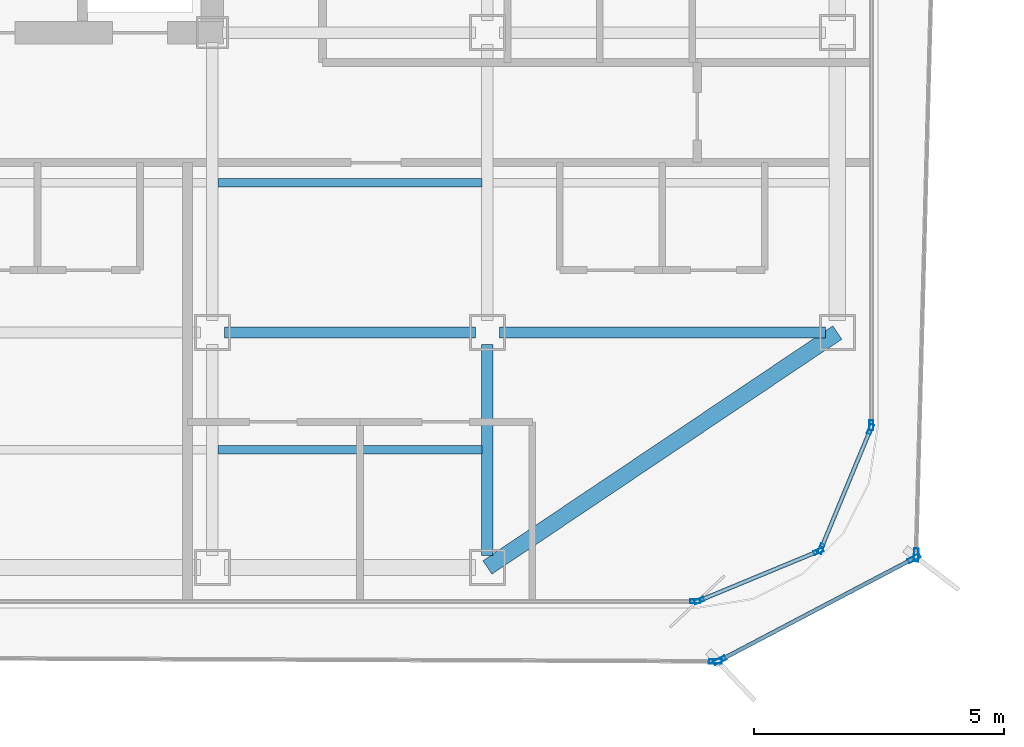
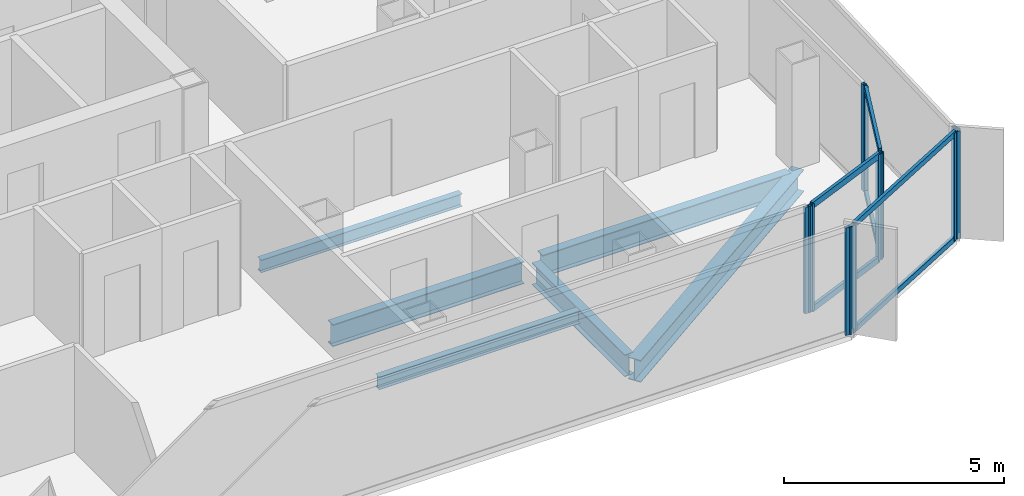
# One storey, part 4 of 16: 16 members, 6 beams, 7 elements without a shape of their own.
"""IFC4 building model written with IfcOpenShell, lengths in metres."""

from ifc_helpers import new_model, si_unit, direction, frame, origin, origin_2d, place, context, subcontext, project, spatial, hollow_rectangle, i_section, extrude, source, transform, mapped, material, layer, layer_set, material_profile, profile_set, type_object, element, aggregate, save


model = new_model("IFC4")

# Units and contexts
model_context = context("Model", 3, precision=1e-05, world=origin(), true_north=direction((0.0, 1.0)))
body_context = subcontext(model_context, "Body", "Model", "MODEL_VIEW")
ifc_project = project(units=[si_unit("LENGTHUNIT", "METRE"), si_unit("AREAUNIT", "SQUARE_METRE"), si_unit("VOLUMEUNIT", "CUBIC_METRE"), si_unit("PLANEANGLEUNIT", "RADIAN"), si_unit("MASSUNIT", "GRAM", prefix="KILO")], contexts=[model_context])

# Site, building, storey
site_placement = place(None, origin())
site = spatial("IfcSite", under=ifc_project, at=site_placement, CompositionType="ELEMENT")
building_placement = place(site_placement, origin())
building = spatial("IfcBuilding", under=site, at=building_placement, Name="Kolveth Station Tower", CompositionType="ELEMENT")
storey_placement = place(building_placement, frame((0.0, 0.0, 159.300048828125)))
storey = spatial("IfcBuildingStorey", under=building, at=storey_placement, Name="L44", CompositionType="ELEMENT", Elevation=159.300048828125)

# Beams
ifc_material_1 = material(Name="Steel S355", Category="steel")
ifc_material_profile_1 = material_profile(ifc_material_1, i_section(OverallWidth=0.323974609375, OverallDepth=0.611083984375, WebThickness=0.0126953125, FlangeThickness=0.01904296875, at=origin_2d()), Name="W610x155")
ifc_profile_set_1 = profile_set([ifc_material_profile_1], Name="Steel S355")
beam_type_1 = type_object("IfcBeamType", Name="Beam_SP2", PredefinedType="SPANDREL", material=ifc_profile_set_1)
shared_shape_1 = source(origin(), body_context, "Body", "SweptSolid", [
    extrude(i_section(OverallWidth=0.323974609375, OverallDepth=0.611083984375, WebThickness=0.0126953125, FlangeThickness=0.01904296875, at=origin_2d()), origin(), (0.0, 0.0, 1.0), 8.431396484375),
])
beam_1_placement = place(storey_placement, frame((34.0, 0.800048828125, -0.5556640625), z_axis=(0.830223811004, 0.557430196206, 0.0), x_axis=(-0.557430196206, 0.830223811004, 0.0)))
element("IfcBeam", 1, at=beam_1_placement, inside=storey, type_object=beam_type_1, Name="L44 Corner Edge Girder BM-L44-CNR-SE", PredefinedType="SPANDREL", context=body_context, shape_type="MappedRepresentation", body=[
    mapped(shared_shape_1, transform((0.0, 0.0, 0.0), x_axis=(1.0, 0.0, 0.0), y_axis=(0.0, 1.0, 0.0), z_axis=(0.0, 0.0, 1.0), scale=1.0)),
])
ifc_material_profile_2 = material_profile(ifc_material_1, i_section(OverallWidth=0.22900390625, OverallDepth=0.612060546875, WebThickness=0.011962890625, FlangeThickness=0.01953125, at=origin_2d()), Name="W610x125")
ifc_profile_set_2 = profile_set([ifc_material_profile_2], Name="Steel S355")
beam_type_2 = type_object("IfcBeamType", Name="Beam_B5", PredefinedType="BEAM", material=ifc_profile_set_2)
shared_shape_2 = source(origin(), body_context, "Body", "SweptSolid", [
    extrude(i_section(OverallWidth=0.22900390625, OverallDepth=0.612060546875, WebThickness=0.011962890625, FlangeThickness=0.01953125, at=origin_2d()), origin(), (0.0, 0.0, 1.0), 6.52001953125),
])
beam_2_placement = place(storey_placement, frame((34.239990234375, 5.5, -0.55615234375), z_axis=(1.0, 0.0, 0.0), x_axis=(0.0, 1.0, 0.0)))
element("IfcBeam", 2, at=beam_2_placement, inside=storey, type_object=beam_type_2, Name="L44 Primary Girder BM-L44-GY55-6", PredefinedType="BEAM", context=body_context, shape_type="MappedRepresentation", body=[
    mapped(shared_shape_2, transform((0.0, 0.0, 0.0), x_axis=(1.0, 0.0, 0.0), y_axis=(0.0, 1.0, 0.0), z_axis=(0.0, 0.0, 1.0), scale=1.0)),
])
shared_shape_3 = source(origin(), body_context, "Body", "SweptSolid", [
    extrude(i_section(OverallWidth=0.22900390625, OverallDepth=0.612060546875, WebThickness=0.011962890625, FlangeThickness=0.01953125, at=origin_2d()), origin(), (0.0, 0.0, 1.0), 5.02001953125),
])
beam_3_placement = place(storey_placement, frame((28.739990234375, 5.5, -0.55615234375), z_axis=(1.0, 0.0, 0.0), x_axis=(0.0, 1.0, 0.0)))
element("IfcBeam", 3, at=beam_3_placement, inside=storey, type_object=beam_type_2, Name="L44 Primary Girder BM-L44-GY55-5", PredefinedType="BEAM", context=body_context, shape_type="MappedRepresentation", body=[
    mapped(shared_shape_3, transform((0.0, 0.0, 0.0), x_axis=(1.0, 0.0, 0.0), y_axis=(0.0, 1.0, 0.0), z_axis=(0.0, 0.0, 1.0), scale=1.0)),
])
shared_shape_4 = source(origin(), body_context, "Body", "SweptSolid", [
    extrude(i_section(OverallWidth=0.22900390625, OverallDepth=0.612060546875, WebThickness=0.011962890625, FlangeThickness=0.01953125, at=origin_2d()), origin(), (0.0, 0.0, 1.0), 4.219970703125),
])
beam_4_placement = place(storey_placement, frame((34.0, 1.0400390625, -0.55615234375), z_axis=(0.0, 1.0, 0.0), x_axis=(-1.0, 0.0, 0.0)))
element("IfcBeam", 4, at=beam_4_placement, inside=storey, type_object=beam_type_2, Name="L44 Primary Girder BM-L44-GX340-1", PredefinedType="BEAM", context=body_context, shape_type="MappedRepresentation", body=[
    mapped(shared_shape_4, transform((0.0, 0.0, 0.0), x_axis=(1.0, 0.0, 0.0), y_axis=(0.0, 1.0, 0.0), z_axis=(0.0, 0.0, 1.0), scale=1.0)),
])
ifc_material_profile_3 = material_profile(ifc_material_1, i_section(OverallWidth=0.1708984375, OverallDepth=0.35205078125, WebThickness=0.0068359375, FlangeThickness=0.009765625, at=origin_2d()), Name="W360x44")
ifc_profile_set_3 = profile_set([ifc_material_profile_3], Name="Steel S355")
beam_type_3 = type_object("IfcBeamType", Name="Beam_J2", PredefinedType="JOIST", material=ifc_profile_set_3)
shared_shape_5 = source(origin(), body_context, "Body", "SweptSolid", [
    extrude(i_section(OverallWidth=0.1708984375, OverallDepth=0.35205078125, WebThickness=0.0068359375, FlangeThickness=0.009765625, at=origin_2d()), origin(), (0.0, 0.0, 1.0), 5.27490234375),
])
for number, where, z_axis, x_axis, name in (
    (5, (28.612548828125, 3.14990234375, -0.426025390625), (1.0, 0.0, 0.0), (0.0, 1.0, 0.0), "L44 Secondary Joist JST-L44-5-1"),
    (6, (28.612548828125, 8.5, -0.426025390625), (1.0, 0.0, 0.0), (0.0, 1.0, 0.0), "L44 Secondary Joist JST-L44-5-2"),
):
    element("IfcBeam", number, at=place(storey_placement, frame(where, z_axis=z_axis, x_axis=x_axis)), inside=storey, type_object=beam_type_3, Name=name, PredefinedType="JOIST", context=body_context, shape_type="MappedRepresentation", body=[
        mapped(shared_shape_5, transform((0.0, 0.0, 0.0), x_axis=(1.0, 0.0, 0.0), y_axis=(0.0, 1.0, 0.0), z_axis=(0.0, 0.0, 1.0), scale=1.0)),
    ])

# Curtain wall, members
ifc_material_2 = material(Name="Aluminium 6063-T6 and low-E dark glass", Category="aluminium")
ifc_layer_1 = layer(ifc_material_2, 0.18994140625)
ifc_layer_set_1 = layer_set([ifc_layer_1], Name="Aluminium 6063-T6 and low-E dark glass")
curtain_wall_type_1 = type_object("IfcCurtainWallType", Name="CurtainWall_CW-Z2", PredefinedType="NOTDEFINED", material=ifc_layer_set_1)
curtain_wall_1_placement = place(storey_placement, origin())
curtain_wall_1 = element("IfcCurtainWall", 7, at=curtain_wall_1_placement, inside=storey, type_object=curtain_wall_type_1, Name="L44 Inner Thermal Curtain Wall 1", PredefinedType="NOTDEFINED")
ifc_material_3 = material(Name="Black anodized aluminium 6063-T6", Category="aluminium")
ifc_material_profile_4 = material_profile(ifc_material_3, hollow_rectangle(XDim=0.080078125, YDim=0.199951171875, WallThickness=0.0048828125, at=origin_2d()), Name="ALU-80x200x5")
ifc_profile_set_4 = profile_set([ifc_material_profile_4], Name="Black anodized aluminium 6063-T6")
member_type_1 = type_object("IfcMemberType", Name="Mullion_ML2", PredefinedType="MULLION", material=ifc_profile_set_4)
shared_shape_6 = source(origin(), body_context, "Body", "SweptSolid", [
    extrude(hollow_rectangle(XDim=0.080078125, YDim=0.199951171875, WallThickness=0.0048828125, at=origin_2d()), origin(), (0.0, 0.0, 1.0), 2.949951171875),
])
member_1_placement = place(storey_placement, frame((38.237060546875, 0.13525390625, 0.0), z_axis=(0.0, 0.0, 1.0), x_axis=(-0.382697753087, 0.923873600544, 0.0)))
member_1 = element("IfcMember", 8, at=member_1_placement, type_object=member_type_1, Name="CW-Z2 mullion 1", PredefinedType="MULLION", context=body_context, shape_type="MappedRepresentation", body=[
    mapped(shared_shape_6, transform((0.0, 0.0, 0.0), x_axis=(1.0, 0.0, 0.0), y_axis=(0.0, 1.0, 0.0), z_axis=(0.0, 0.0, 1.0), scale=1.0)),
])
member_2_placement = place(storey_placement, frame((40.623779296875, 1.1240234375, 0.0), z_axis=(0.0, 0.0, 1.0), x_axis=(-0.382697753087, 0.923873600544, 0.0)))
member_2 = element("IfcMember", 9, at=member_2_placement, type_object=member_type_1, Name="CW-Z2 mullion 2", PredefinedType="MULLION", context=body_context, shape_type="MappedRepresentation", body=[
    mapped(shared_shape_6, transform((0.0, 0.0, 0.0), x_axis=(1.0, 0.0, 0.0), y_axis=(0.0, 1.0, 0.0), z_axis=(0.0, 0.0, 1.0), scale=1.0)),
])

curtain_wall_2_placement = place(storey_placement, origin())
curtain_wall_2 = element("IfcCurtainWall", 10, at=curtain_wall_2_placement, inside=storey, type_object=curtain_wall_type_1, Name="L44 Inner Thermal Curtain Wall 2", PredefinedType="NOTDEFINED")
member_3_placement = place(storey_placement, frame((40.676025390625, 1.17626953125, 0.0), z_axis=(0.0, 0.0, 1.0), x_axis=(-0.923873600544, 0.382697753087, 0.0)))
member_3 = element("IfcMember", 11, at=member_3_placement, type_object=member_type_1, Name="CW-Z2 mullion 1", PredefinedType="MULLION", context=body_context, shape_type="MappedRepresentation", body=[
    mapped(shared_shape_6, transform((0.0, 0.0, 0.0), x_axis=(1.0, 0.0, 0.0), y_axis=(0.0, 1.0, 0.0), z_axis=(0.0, 0.0, 1.0), scale=1.0)),
])
member_4_placement = place(storey_placement, frame((41.664794921875, 3.56298828125, 0.0), z_axis=(0.0, 0.0, 1.0), x_axis=(-0.923873600544, 0.382697753087, 0.0)))
member_4 = element("IfcMember", 12, at=member_4_placement, type_object=member_type_1, Name="CW-Z2 mullion 2", PredefinedType="MULLION", context=body_context, shape_type="MappedRepresentation", body=[
    mapped(shared_shape_6, transform((0.0, 0.0, 0.0), x_axis=(1.0, 0.0, 0.0), y_axis=(0.0, 1.0, 0.0), z_axis=(0.0, 0.0, 1.0), scale=1.0)),
])

# Curtain wall, member
curtain_wall_3_placement = place(storey_placement, origin())
curtain_wall_3 = element("IfcCurtainWall", 13, at=curtain_wall_3_placement, inside=storey, type_object=curtain_wall_type_1, Name="L44 Inner Thermal Curtain Wall 3", PredefinedType="NOTDEFINED")
member_5_placement = place(storey_placement, frame((41.679931640625, 3.639892578125, 0.0), z_axis=(0.0, 0.0, 1.0), x_axis=(-1.0, 0.0, 0.0)))
member_5 = element("IfcMember", 14, at=member_5_placement, type_object=member_type_1, Name="CW-Z2 mullion 1", PredefinedType="MULLION", context=body_context, shape_type="MappedRepresentation", body=[
    mapped(shared_shape_6, transform((0.0, 0.0, 0.0), x_axis=(1.0, 0.0, 0.0), y_axis=(0.0, 1.0, 0.0), z_axis=(0.0, 0.0, 1.0), scale=1.0)),
])
aggregate(curtain_wall_3, [member_5])

curtain_wall_4_placement = place(storey_placement, origin())
curtain_wall_4 = element("IfcCurtainWall", 15, at=curtain_wall_4_placement, inside=storey, type_object=curtain_wall_type_1, Name="L44 Inner Thermal Curtain Wall 12", PredefinedType="NOTDEFINED")
member_6_placement = place(storey_placement, frame((38.159912109375, 0.1201171875, 0.0), z_axis=(0.0, 0.0, 1.0), x_axis=(0.0, 1.0, 0.0)))
member_6 = element("IfcMember", 16, at=member_6_placement, type_object=member_type_1, Name="CW-Z2 mullion 2", PredefinedType="MULLION", context=body_context, shape_type="MappedRepresentation", body=[
    mapped(shared_shape_6, transform((0.0, 0.0, 0.0), x_axis=(1.0, 0.0, 0.0), y_axis=(0.0, 1.0, 0.0), z_axis=(0.0, 0.0, 1.0), scale=1.0)),
])
aggregate(curtain_wall_4, [member_6])

# Curtain wall, members
ifc_material_4 = material(Name="Black anodized aluminium 6063-T6 and dark solar glass", Category="aluminium")
ifc_layer_2 = layer(ifc_material_4, 0.159912109375)
ifc_layer_set_2 = layer_set([ifc_layer_2], Name="Black anodized aluminium 6063-T6 and dark solar glass")
curtain_wall_type_2 = type_object("IfcCurtainWallType", Name="OUTER SKIN CW-OS", PredefinedType="NOTDEFINED", material=ifc_layer_set_2)
curtain_wall_5_placement = place(storey_placement, origin())
curtain_wall_5 = element("IfcCurtainWall", 17, at=curtain_wall_5_placement, inside=storey, type_object=curtain_wall_type_2, Name="L44 Outer Ventilated Skin Curtain Wall 1", PredefinedType="NOTDEFINED")
ifc_material_profile_5 = material_profile(ifc_material_3, hollow_rectangle(XDim=0.090087890625, YDim=0.260009765625, WallThickness=0.0048828125, at=origin_2d()), Name="ALU-90x260x5")
ifc_profile_set_5 = profile_set([ifc_material_profile_5], Name="Black anodized aluminium 6063-T6")
member_type_2 = type_object("IfcMemberType", Name="FIN MULLION ML-OS", PredefinedType="MULLION", material=ifc_profile_set_5)
shared_shape_7 = source(origin(), body_context, "Body", "SweptSolid", [
    extrude(hollow_rectangle(XDim=0.090087890625, YDim=0.260009765625, WallThickness=0.0048828125, at=origin_2d()), origin(), (0.0, 0.0, 1.0), 2.989990234375),
])
member_7_placement = place(storey_placement, frame((38.648193359375, -1.060546875, 0.0), z_axis=(0.0, 0.0, 1.0), x_axis=(-0.465222420481, 0.885193820291, 0.0)))
member_7 = element("IfcMember", 18, at=member_7_placement, type_object=member_type_2, Name="CW-OS mullion 1", PredefinedType="MULLION", context=body_context, shape_type="MappedRepresentation", body=[
    mapped(shared_shape_7, transform((0.0, 0.0, 0.0), x_axis=(1.0, 0.0, 0.0), y_axis=(0.0, 1.0, 0.0), z_axis=(0.0, 0.0, 1.0), scale=1.0)),
])
member_8_placement = place(storey_placement, frame((42.53759765625, 0.983642578125, 0.0), z_axis=(0.0, 0.0, 1.0), x_axis=(-0.465222420481, 0.885193820291, 0.0)))
member_8 = element("IfcMember", 19, at=member_8_placement, type_object=member_type_2, Name="CW-OS mullion 2", PredefinedType="MULLION", context=body_context, shape_type="MappedRepresentation", body=[
    mapped(shared_shape_7, transform((0.0, 0.0, 0.0), x_axis=(1.0, 0.0, 0.0), y_axis=(0.0, 1.0, 0.0), z_axis=(0.0, 0.0, 1.0), scale=1.0)),
])

# Curtain wall, member
curtain_wall_6_placement = place(storey_placement, origin())
curtain_wall_6 = element("IfcCurtainWall", 20, at=curtain_wall_6_placement, inside=storey, type_object=curtain_wall_type_2, Name="L44 Outer Ventilated Skin Curtain Wall 2", PredefinedType="NOTDEFINED")
member_9_placement = place(storey_placement, frame((42.57861328125, 1.049560546875, 0.0), z_axis=(0.0, 0.0, 1.0), x_axis=(-0.999645180788, 0.026636676342, 0.0)))
member_9 = element("IfcMember", 21, at=member_9_placement, type_object=member_type_2, Name="CW-OS mullion 1", PredefinedType="MULLION", context=body_context, shape_type="MappedRepresentation", body=[
    mapped(shared_shape_7, transform((0.0, 0.0, 0.0), x_axis=(1.0, 0.0, 0.0), y_axis=(0.0, 1.0, 0.0), z_axis=(0.0, 0.0, 1.0), scale=1.0)),
])
aggregate(curtain_wall_6, [member_9])

curtain_wall_7_placement = place(storey_placement, origin())
curtain_wall_7 = element("IfcCurtainWall", 22, at=curtain_wall_7_placement, inside=storey, type_object=curtain_wall_type_2, Name="L44 Outer Ventilated Skin Curtain Wall 8", PredefinedType="NOTDEFINED")
member_10_placement = place(storey_placement, frame((38.5634765625, -1.081298828125, 0.0), z_axis=(0.0, 0.0, 1.0), x_axis=(0.004004986729, 0.999991980008, 0.0)))
member_10 = element("IfcMember", 23, at=member_10_placement, type_object=member_type_2, Name="CW-OS mullion 2", PredefinedType="MULLION", context=body_context, shape_type="MappedRepresentation", body=[
    mapped(shared_shape_7, transform((0.0, 0.0, 0.0), x_axis=(1.0, 0.0, 0.0), y_axis=(0.0, 1.0, 0.0), z_axis=(0.0, 0.0, 1.0), scale=1.0)),
])
aggregate(curtain_wall_7, [member_10])

# Member
ifc_material_profile_6 = material_profile(ifc_material_3, hollow_rectangle(XDim=0.080078125, YDim=0.169921875, WallThickness=0.0048828125, at=origin_2d()), Name="ALU-80x170x5")
ifc_profile_set_6 = profile_set([ifc_material_profile_6], Name="Black anodized aluminium 6063-T6")
member_type_3 = type_object("IfcMemberType", Name="Transom_TR2", PredefinedType="USERDEFINED", material=ifc_profile_set_6)
shared_shape_8 = source(origin(), body_context, "Body", "SweptSolid", [
    extrude(hollow_rectangle(XDim=0.080078125, YDim=0.169921875, WallThickness=0.0048828125, at=origin_2d()), origin(), (0.0, 0.0, 1.0), 2.50341796875),
])
member_11_placement = place(storey_placement, frame((38.27392578125, 0.150634765625, 0.0400390625), z_axis=(0.923874190494, 0.382696328882, 0.0), x_axis=(-0.382696328882, 0.923874190494, 0.0)))
member_11 = element("IfcMember", 24, at=member_11_placement, type_object=member_type_3, Name="CW-Z2 transom 1.1", ObjectType="TRANSOM", PredefinedType="USERDEFINED", context=body_context, shape_type="MappedRepresentation", body=[
    mapped(shared_shape_8, transform((0.0, 0.0, 0.0), x_axis=(1.0, 0.0, 0.0), y_axis=(0.0, 1.0, 0.0), z_axis=(0.0, 0.0, 1.0), scale=1.0)),
])

member_12_placement = place(storey_placement, frame((38.27392578125, 0.150634765625, 2.909912109375), z_axis=(0.923874190494, 0.382696328882, 0.0), x_axis=(-0.382696328882, 0.923874190494, 0.0)))
member_12 = element("IfcMember", 25, at=member_12_placement, type_object=member_type_3, Name="CW-Z2 transom 1.2", ObjectType="TRANSOM", PredefinedType="USERDEFINED", context=body_context, shape_type="MappedRepresentation", body=[
    mapped(shared_shape_8, transform((0.0, 0.0, 0.0), x_axis=(1.0, 0.0, 0.0), y_axis=(0.0, 1.0, 0.0), z_axis=(0.0, 0.0, 1.0), scale=1.0)),
])

aggregate(curtain_wall_1, [member_1, member_2, member_11, member_12])

member_13_placement = place(storey_placement, frame((40.69140625, 1.213134765625, 0.0400390625), z_axis=(0.382661849723, 0.923888472039, 0.0), x_axis=(-0.923888472039, 0.382661849723, 0.0)))
member_13 = element("IfcMember", 26, at=member_13_placement, type_object=member_type_3, Name="CW-Z2 transom 1.1", ObjectType="TRANSOM", PredefinedType="USERDEFINED", context=body_context, shape_type="MappedRepresentation", body=[
    mapped(shared_shape_8, transform((0.0, 0.0, 0.0), x_axis=(1.0, 0.0, 0.0), y_axis=(0.0, 1.0, 0.0), z_axis=(0.0, 0.0, 1.0), scale=1.0)),
])

member_14_placement = place(storey_placement, frame((40.69140625, 1.213134765625, 2.909912109375), z_axis=(0.382661849723, 0.923888472039, 0.0), x_axis=(-0.923888472039, 0.382661849723, 0.0)))
member_14 = element("IfcMember", 27, at=member_14_placement, type_object=member_type_3, Name="CW-Z2 transom 1.2", ObjectType="TRANSOM", PredefinedType="USERDEFINED", context=body_context, shape_type="MappedRepresentation", body=[
    mapped(shared_shape_8, transform((0.0, 0.0, 0.0), x_axis=(1.0, 0.0, 0.0), y_axis=(0.0, 1.0, 0.0), z_axis=(0.0, 0.0, 1.0), scale=1.0)),
])

aggregate(curtain_wall_2, [member_3, member_4, member_13, member_14])

ifc_material_profile_7 = material_profile(ifc_material_3, hollow_rectangle(XDim=0.080078125, YDim=0.14990234375, WallThickness=0.0048828125, at=origin_2d()), Name="ALU-80x150x5")
ifc_profile_set_7 = profile_set([ifc_material_profile_7], Name="Black anodized aluminium 6063-T6")
member_type_4 = type_object("IfcMemberType", Name="Transom_TR-OS", PredefinedType="USERDEFINED", material=ifc_profile_set_7)
shared_shape_9 = source(origin(), body_context, "Body", "SweptSolid", [
    extrude(hollow_rectangle(XDim=0.080078125, YDim=0.14990234375, WallThickness=0.0048828125, at=origin_2d()), origin(), (0.0, 0.0, 1.0), 4.303955078125),
])
member_15_placement = place(storey_placement, frame((38.68798828125, -1.03955078125, 0.0400390625), z_axis=(0.885202300608, 0.46520628435, 0.0), x_axis=(-0.46520628435, 0.885202300608, 0.0)))
member_15 = element("IfcMember", 28, at=member_15_placement, type_object=member_type_4, Name="CW-OS transom 1.1", ObjectType="TRANSOM", PredefinedType="USERDEFINED", context=body_context, shape_type="MappedRepresentation", body=[
    mapped(shared_shape_9, transform((0.0, 0.0, 0.0), x_axis=(1.0, 0.0, 0.0), y_axis=(0.0, 1.0, 0.0), z_axis=(0.0, 0.0, 1.0), scale=1.0)),
])

member_16_placement = place(storey_placement, frame((38.68798828125, -1.03955078125, 2.949951171875), z_axis=(0.885202300608, 0.46520628435, 0.0), x_axis=(-0.46520628435, 0.885202300608, 0.0)))
member_16 = element("IfcMember", 29, at=member_16_placement, type_object=member_type_4, Name="CW-OS transom 1.2", ObjectType="TRANSOM", PredefinedType="USERDEFINED", context=body_context, shape_type="MappedRepresentation", body=[
    mapped(shared_shape_9, transform((0.0, 0.0, 0.0), x_axis=(1.0, 0.0, 0.0), y_axis=(0.0, 1.0, 0.0), z_axis=(0.0, 0.0, 1.0), scale=1.0)),
])

aggregate(curtain_wall_5, [member_7, member_8, member_15, member_16])

save(model, "model.ifc")
